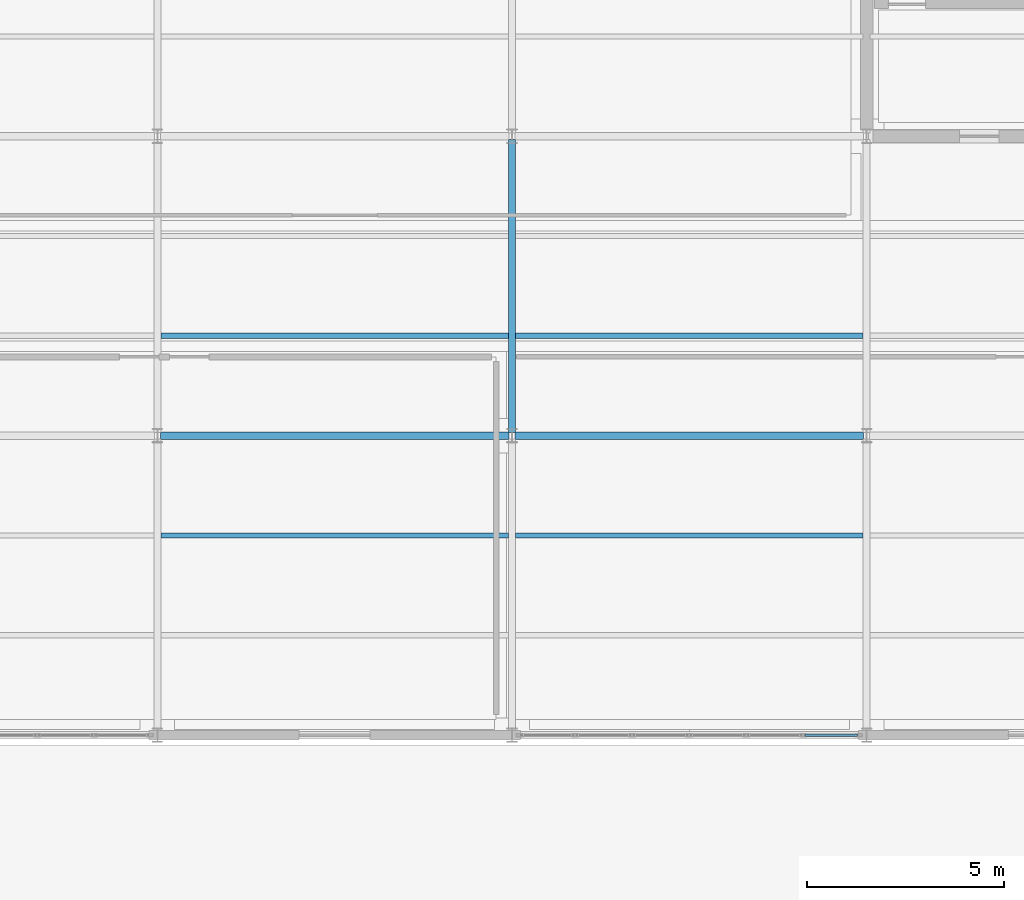
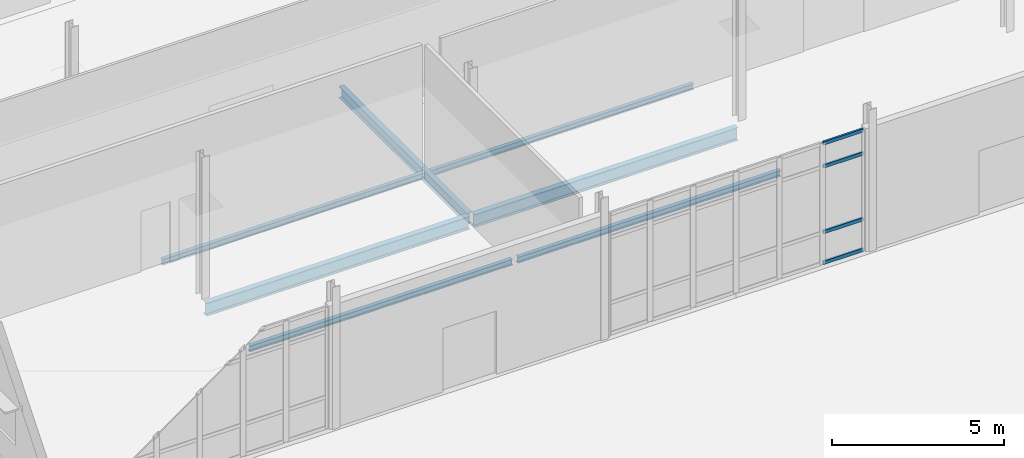
# One storey, part 79 of 161: 7 beams, 4 members, 1 element without a shape of its own.
"""IFC4 building model written with IfcOpenShell, lengths in metres."""

from ifc_helpers import new_model, si_unit, direction, frame, origin, origin_2d, place, context, subcontext, project, spatial, hollow_rectangle, i_section, extrude, material, material_profile, profile_set, type_object, element, aggregate, save


model = new_model("IFC4")

# Units and contexts
model_context = context("Model", 3, precision=1e-05, world=origin(), true_north=direction((0.0, 1.0)))
body_context = subcontext(model_context, "Body", "Model", "MODEL_VIEW")
ifc_project = project(units=[si_unit("LENGTHUNIT", "METRE"), si_unit("AREAUNIT", "SQUARE_METRE"), si_unit("VOLUMEUNIT", "CUBIC_METRE"), si_unit("PLANEANGLEUNIT", "RADIAN"), si_unit("MASSUNIT", "GRAM", prefix="KILO")], contexts=[model_context])

# Site, building, storey
site_placement = place(None, origin())
site = spatial("IfcSite", under=ifc_project, at=site_placement, CompositionType="ELEMENT")
building_placement = place(site_placement, origin())
building = spatial("IfcBuilding", under=site, at=building_placement, Name="Caisbarro Railhouse Central Library", CompositionType="ELEMENT")
storey_placement = place(building_placement, origin())
storey = spatial("IfcBuildingStorey", under=building, at=storey_placement, Name="L00", CompositionType="ELEMENT", Elevation=0.0)

# Beams
ifc_material_1 = material(Name="Steel ASTM A572 Grade 50", Category="steel")
ifc_material_profile_1 = material_profile(ifc_material_1, i_section(OverallWidth=0.18994140625, OverallDepth=0.45703125, WebThickness=0.009033203125, FlangeThickness=0.014404296875, FilletRadius=0.01806640625, at=origin_2d()), Name="W460X74.0")
ifc_profile_set_1 = profile_set([ifc_material_profile_1], Name="Steel ASTM A572 Grade 50")
beam_type_1 = type_object("IfcBeamType", Name="BM-G08", PredefinedType="BEAM", material=ifc_profile_set_1)
for number, where, z_axis, x_axis, name in (
    (1, (63.080078125, 91.199951171875, -0.478515625), (1.0, 0.0, 0.0), (0.0, 1.0, 0.0), "G08 beam L00 #619"),
    (2, (72.080078125, 91.199951171875, -0.478515625), (1.0, 0.0, 0.0), (0.0, 1.0, 0.0), "G08 beam L00 #620"),
):
    element("IfcBeam", number, at=place(storey_placement, frame(where, z_axis=z_axis, x_axis=x_axis)), inside=storey, type_object=beam_type_1, Name=name, PredefinedType="BEAM", context=body_context, shape_type="SweptSolid", body=[
        extrude(i_section(OverallWidth=0.18994140625, OverallDepth=0.45703125, WebThickness=0.009033203125, FlangeThickness=0.014404296875, FilletRadius=0.01806640625, at=origin_2d()), origin(), (0.0, 0.0, 1.0), 8.83984375),
    ])
ifc_material_profile_2 = material_profile(ifc_material_1, i_section(OverallWidth=0.177978515625, OverallDepth=0.406982421875, WebThickness=0.0078125, FlangeThickness=0.0126953125, FilletRadius=0.01611328125, at=origin_2d()), Name="W410X60.0")
ifc_profile_set_2 = profile_set([ifc_material_profile_2], Name="Steel ASTM A572 Grade 50")
beam_type_2 = type_object("IfcBeamType", Name="BM-G10", PredefinedType="BEAM", material=ifc_profile_set_2)
beam_placement = place(storey_placement, frame((72.0, 91.280029296875, -0.45361328125), z_axis=(0.0, 1.0, 0.0), x_axis=(-1.0, 0.0, 0.0)))
element("IfcBeam", 3, at=beam_placement, inside=storey, type_object=beam_type_2, Name="G10 beam L00 #640", PredefinedType="BEAM", context=body_context, shape_type="SweptSolid", body=[
    extrude(i_section(OverallWidth=0.177978515625, OverallDepth=0.406982421875, WebThickness=0.0078125, FlangeThickness=0.0126953125, FilletRadius=0.01611328125, at=origin_2d()), origin(), (0.0, 0.0, 1.0), 7.43994140625),
])
ifc_material_profile_3 = material_profile(ifc_material_1, i_section(OverallWidth=0.133056640625, OverallDepth=0.20703125, WebThickness=0.005859375, FlangeThickness=0.00830078125, FilletRadius=0.010009765625, at=origin_2d()), Name="W200X26.6")
ifc_profile_set_3 = profile_set([ifc_material_profile_3], Name="Steel ASTM A572 Grade 50")
beam_type_3 = type_object("IfcBeamType", Name="BM-J07", PredefinedType="JOIST", material=ifc_profile_set_3)
for number, where, z_axis, x_axis, name in (
    (4, (63.089111328125, 88.666748046875, -0.353515625), (1.0, 0.0, 0.0), (0.0, 1.0, 0.0), "J07 beam L00 #658"),
    (5, (63.089111328125, 93.7333984375, -0.353515625), (1.0, 0.0, 0.0), (0.0, 1.0, 0.0), "J07 beam L00 #659"),
    (6, (72.089111328125, 88.666748046875, -0.353515625), (1.0, 0.0, 0.0), (0.0, 1.0, 0.0), "J07 beam L00 #664"),
    (7, (72.089111328125, 93.7333984375, -0.353515625), (1.0, 0.0, 0.0), (0.0, 1.0, 0.0), "J07 beam L00 #665"),
):
    element("IfcBeam", number, at=place(storey_placement, frame(where, z_axis=z_axis, x_axis=x_axis)), inside=storey, type_object=beam_type_3, Name=name, PredefinedType="JOIST", context=body_context, shape_type="SweptSolid", body=[
        extrude(i_section(OverallWidth=0.133056640625, OverallDepth=0.20703125, WebThickness=0.005859375, FlangeThickness=0.00830078125, FilletRadius=0.010009765625, at=origin_2d()), origin(), (0.0, 0.0, 1.0), 8.82177734375),
    ])

# Curtain wall, members
ifc_material_2 = material(Name="Anodised architectural aluminium", Category="aluminium")
curtain_wall_type = type_object("IfcCurtainWallType", Name="CW-CW02", PredefinedType="NOTDEFINED", material=ifc_material_2)
curtain_wall_placement = place(storey_placement, origin())
curtain_wall = element("IfcCurtainWall", 8, at=curtain_wall_placement, inside=storey, type_object=curtain_wall_type, Name="CW02 curtain wall L00 #168", PredefinedType="NOTDEFINED")
ifc_material_profile_4 = material_profile(ifc_material_2, hollow_rectangle(XDim=0.06494140625, YDim=0.1201171875, WallThickness=0.00341796875, at=origin_2d()), Name="ALU-TRN-65X120")
ifc_profile_set_4 = profile_set([ifc_material_profile_4], Name="Anodised architectural aluminium")
member_type = type_object("IfcMemberType", Name="CWT-T02", PredefinedType="USERDEFINED", material=ifc_profile_set_4)
member_1_placement = place(storey_placement, frame((79.430908203125, 83.60009765625, 0.032470703125), z_axis=(1.0, 0.0, 0.0), x_axis=(0.0, 1.0, 0.0)))
member_1 = element("IfcMember", 9, at=member_1_placement, type_object=member_type, Name="CW02 transom 6.1", ObjectType="TRANSOM", PredefinedType="USERDEFINED", context=body_context, shape_type="SweptSolid", body=[
    extrude(hollow_rectangle(XDim=0.06494140625, YDim=0.1201171875, WallThickness=0.00341796875, at=origin_2d()), origin(), (0.0, 0.0, 1.0), 1.333984375),
])
member_2_placement = place(storey_placement, frame((79.430908203125, 83.60009765625, 1.1201171875), z_axis=(1.0, 0.0, 0.0), x_axis=(0.0, 1.0, 0.0)))
member_2 = element("IfcMember", 10, at=member_2_placement, type_object=member_type, Name="CW02 transom 6.2", ObjectType="TRANSOM", PredefinedType="USERDEFINED", context=body_context, shape_type="SweptSolid", body=[
    extrude(hollow_rectangle(XDim=0.06494140625, YDim=0.1201171875, WallThickness=0.00341796875, at=origin_2d()), origin(), (0.0, 0.0, 1.0), 1.333984375),
])
member_3_placement = place(storey_placement, frame((79.430908203125, 83.60009765625, 3.449951171875), z_axis=(1.0, 0.0, 0.0), x_axis=(0.0, 1.0, 0.0)))
member_3 = element("IfcMember", 11, at=member_3_placement, type_object=member_type, Name="CW02 transom 6.3", ObjectType="TRANSOM", PredefinedType="USERDEFINED", context=body_context, shape_type="SweptSolid", body=[
    extrude(hollow_rectangle(XDim=0.06494140625, YDim=0.1201171875, WallThickness=0.00341796875, at=origin_2d()), origin(), (0.0, 0.0, 1.0), 1.333984375),
])
member_4_placement = place(storey_placement, frame((79.430908203125, 83.60009765625, 4.267578125), z_axis=(1.0, 0.0, 0.0), x_axis=(0.0, 1.0, 0.0)))
member_4 = element("IfcMember", 12, at=member_4_placement, type_object=member_type, Name="CW02 transom 6.4", ObjectType="TRANSOM", PredefinedType="USERDEFINED", context=body_context, shape_type="SweptSolid", body=[
    extrude(hollow_rectangle(XDim=0.06494140625, YDim=0.1201171875, WallThickness=0.00341796875, at=origin_2d()), origin(), (0.0, 0.0, 1.0), 1.333984375),
])
aggregate(curtain_wall, [member_1, member_2, member_3, member_4])

save(model, "model.ifc")
